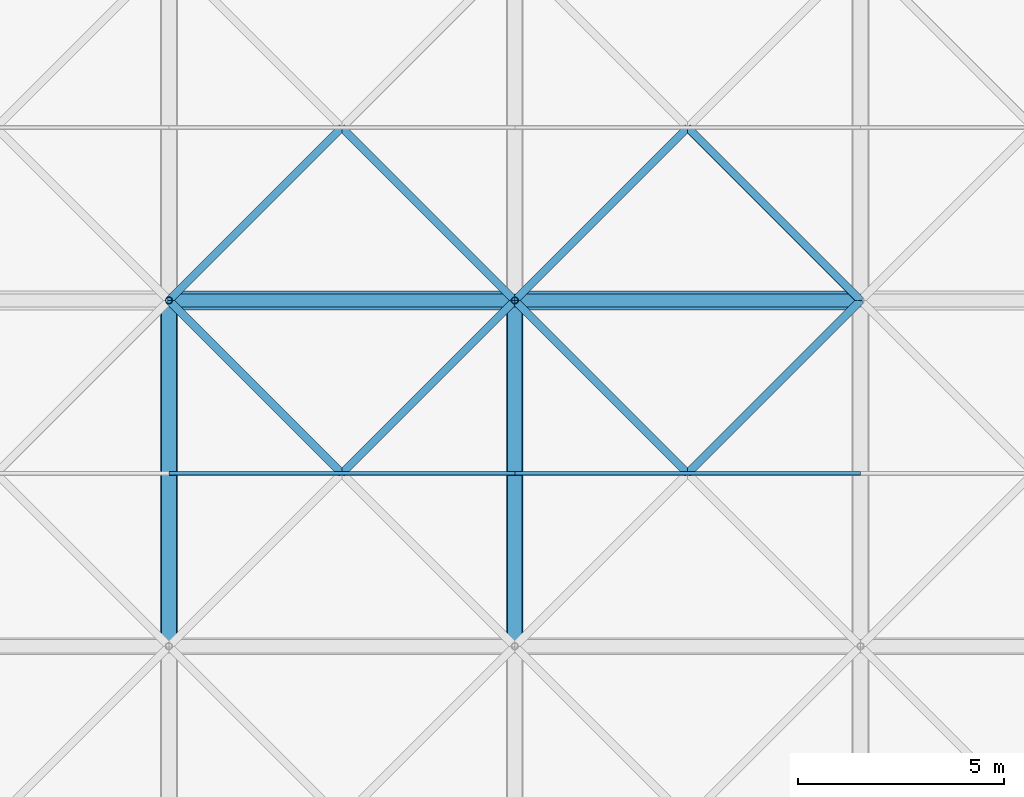
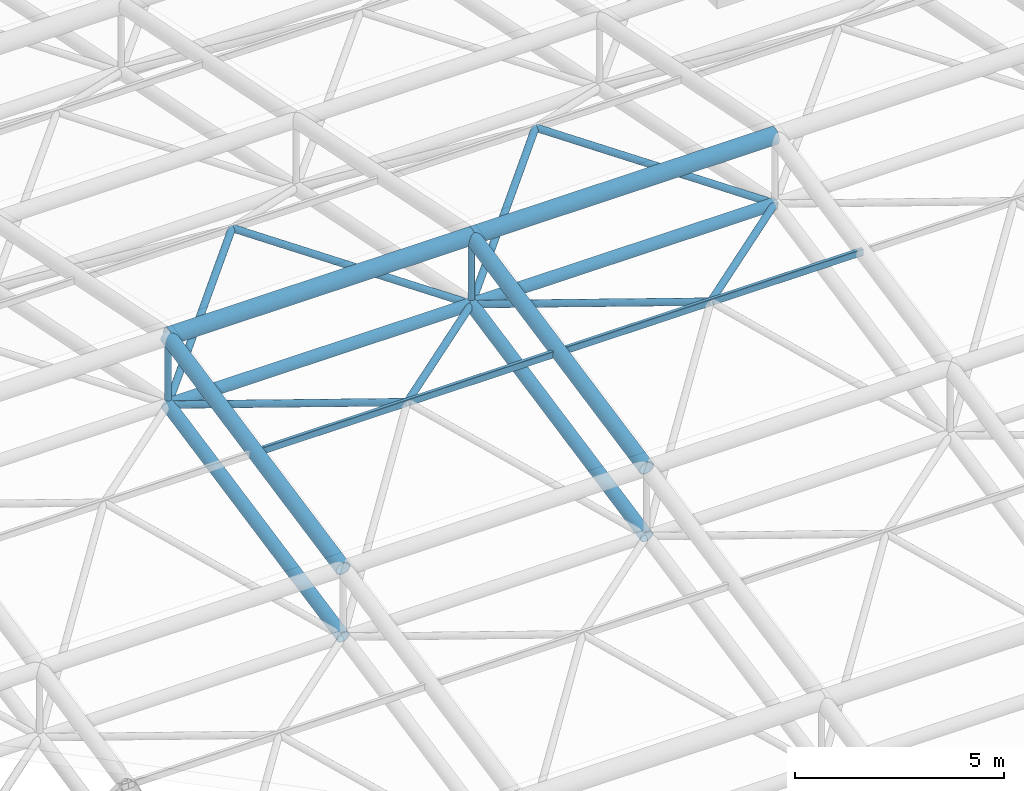
# One storey, part 45 of 110: 20 members.
"""IFC4 building model written with IfcOpenShell, lengths in metres."""

from ifc_helpers import new_model, si_unit, direction, frame, origin, origin_2d, place, context, subcontext, project, spatial, hollow_rectangle, hollow_circle, extrude, material, material_profile, profile_set, type_object, element, save


model = new_model("IFC4")

# Units and contexts
model_context = context("Model", 3, precision=1e-05, world=origin(), true_north=direction((0.0, 1.0)))
body_context = subcontext(model_context, "Body", "Model", "MODEL_VIEW")
ifc_project = project(units=[si_unit("LENGTHUNIT", "METRE"), si_unit("AREAUNIT", "SQUARE_METRE"), si_unit("VOLUMEUNIT", "CUBIC_METRE"), si_unit("PLANEANGLEUNIT", "RADIAN"), si_unit("MASSUNIT", "GRAM", prefix="KILO")], contexts=[model_context])

# Site, building, storey
site_placement = place(None, origin())
site = spatial("IfcSite", under=ifc_project, at=site_placement, CompositionType="ELEMENT")
building_placement = place(site_placement, origin())
building = spatial("IfcBuilding", under=site, at=building_placement, Name="Qawsi Khor Wholesale Market", CompositionType="ELEMENT")
storey_placement = place(building_placement, frame((0.0, 0.0, 11.39990234375)))
storey = spatial("IfcBuildingStorey", under=building, at=storey_placement, Name="L02", CompositionType="ELEMENT", Elevation=11.39990234375)

# Members
ifc_material = material(Name="Steel S355", Category="steel")
ifc_material_profile_1 = material_profile(ifc_material, hollow_circle(Radius=0.177734375, WallThickness=0.01611328125, at=origin_2d()), Name="CHS 355.6x16.0")
ifc_profile_set_1 = profile_set([ifc_material_profile_1], Name="Steel S355")
member_type_1 = type_object("IfcMemberType", Name="Space-Frame Bottom Chord CHS 355.6x16.0", PredefinedType="CHORD", material=ifc_profile_set_1)
for number, where, z_axis, x_axis, name in (
    (1, (176.39990234375, 67.199951171875, 5.070068359375), (0.0, 0.98013111127, 0.198350711418), (-1.0, 0.0, 0.0), "Space frame bottom chord Y EH (21,8)"),
    (2, (184.800048828125, 67.199951171875, 5.070068359375), (0.0, 0.98013111127, 0.198350711418), (-1.0, 0.0, 0.0), "Space frame bottom chord Y EH (22,8)"),
):
    element("IfcMember", number, at=place(storey_placement, frame(where, z_axis=z_axis, x_axis=x_axis)), inside=storey, type_object=member_type_1, Name=name, PredefinedType="CHORD", context=body_context, shape_type="SweptSolid", body=[
        extrude(hollow_circle(Radius=0.177734375, WallThickness=0.01611328125, at=origin_2d()), origin(), (0.0, 0.0, 1.0), 8.5703125),
    ])
ifc_material_profile_2 = material_profile(ifc_material, hollow_rectangle(XDim=0.10009765625, YDim=0.199951171875, WallThickness=0.008056640625, InnerFilletRadius=0.008056640625, OuterFilletRadius=0.01611328125, at=origin_2d()), Name="RHS 200x100x8.0")
ifc_profile_set_2 = profile_set([ifc_material_profile_2], Name="Steel S355")
member_type_2 = type_object("IfcMemberType", Name="Space-Frame Purlin RHS 200x100x8.0", PredefinedType="PURLIN", material=ifc_profile_set_2)
member_1_placement = place(storey_placement, frame((176.39990234375, 71.39990234375, 7.920166015625), z_axis=(1.0, 0.0, 0.0), x_axis=(0.0, 1.0, 0.0)))
element("IfcMember", 3, at=member_1_placement, inside=storey, type_object=member_type_2, Name="Space frame purlin EH (21,8)", PredefinedType="PURLIN", context=body_context, shape_type="SweptSolid", body=[
    extrude(hollow_rectangle(XDim=0.10009765625, YDim=0.199951171875, WallThickness=0.008056640625, InnerFilletRadius=0.008056640625, OuterFilletRadius=0.01611328125, at=origin_2d()), origin(), (0.0, 0.0, 1.0), 8.400146484375),
])
member_2_placement = place(storey_placement, frame((184.800048828125, 71.39990234375, 7.920166015625), z_axis=(1.0, 0.0, 0.0), x_axis=(0.0, 1.0, 0.0)))
element("IfcMember", 4, at=member_2_placement, inside=storey, type_object=member_type_2, Name="Space frame purlin EH (22,8)", PredefinedType="PURLIN", context=body_context, shape_type="SweptSolid", body=[
    extrude(hollow_rectangle(XDim=0.10009765625, YDim=0.199951171875, WallThickness=0.008056640625, InnerFilletRadius=0.008056640625, OuterFilletRadius=0.01611328125, at=origin_2d()), origin(), (0.0, 0.0, 1.0), 8.39990234375),
])
ifc_material_profile_3 = material_profile(ifc_material, hollow_circle(Radius=0.228515625, WallThickness=0.02001953125, at=origin_2d()), Name="CHS 457.0x20.0")
ifc_profile_set_3 = profile_set([ifc_material_profile_3], Name="Steel S355")
member_type_3 = type_object("IfcMemberType", Name="Space-Frame Ridge Chord CHS 457.0x20.0", PredefinedType="CHORD", material=ifc_profile_set_3)
member_3_placement = place(storey_placement, frame((176.39990234375, 75.60009765625, 8.77001953125), z_axis=(1.0, 0.0, 0.0), x_axis=(0.0, 1.0, 0.0)))
element("IfcMember", 5, at=member_3_placement, inside=storey, type_object=member_type_3, Name="Space frame top chord X EH (21,9)", PredefinedType="CHORD", context=body_context, shape_type="SweptSolid", body=[
    extrude(hollow_circle(Radius=0.228515625, WallThickness=0.02001953125, at=origin_2d()), origin(), (0.0, 0.0, 1.0), 8.400146484375),
])
member_4_placement = place(storey_placement, frame((184.800048828125, 75.60009765625, 8.77001953125), z_axis=(1.0, 0.0, 0.0), x_axis=(0.0, 1.0, 0.0)))
element("IfcMember", 6, at=member_4_placement, inside=storey, type_object=member_type_3, Name="Space frame top chord X EH (22,9)", PredefinedType="CHORD", context=body_context, shape_type="SweptSolid", body=[
    extrude(hollow_circle(Radius=0.228515625, WallThickness=0.02001953125, at=origin_2d()), origin(), (0.0, 0.0, 1.0), 8.39990234375),
])
ifc_material_profile_4 = material_profile(ifc_material, hollow_circle(Radius=0.161865234375, WallThickness=0.01611328125, at=origin_2d()), Name="CHS 323.9x16.0")
ifc_profile_set_4 = profile_set([ifc_material_profile_4], Name="Steel S355")
member_type_4 = type_object("IfcMemberType", Name="Space-Frame Secondary Chord CHS 323.9x16.0", PredefinedType="CHORD", material=ifc_profile_set_4)
member_5_placement = place(storey_placement, frame((176.39990234375, 75.60009765625, 6.77001953125), z_axis=(1.0, 0.0, 0.0), x_axis=(0.0, 1.0, 0.0)))
element("IfcMember", 7, at=member_5_placement, inside=storey, type_object=member_type_4, Name="Space frame bottom chord X EH (21,9)", PredefinedType="CHORD", context=body_context, shape_type="SweptSolid", body=[
    extrude(hollow_circle(Radius=0.161865234375, WallThickness=0.01611328125, at=origin_2d()), origin(), (0.0, 0.0, 1.0), 8.400146484375),
])
member_6_placement = place(storey_placement, frame((184.800048828125, 75.60009765625, 6.77001953125), z_axis=(1.0, 0.0, 0.0), x_axis=(0.0, 1.0, 0.0)))
element("IfcMember", 8, at=member_6_placement, inside=storey, type_object=member_type_4, Name="Space frame bottom chord X EH (22,9)", PredefinedType="CHORD", context=body_context, shape_type="SweptSolid", body=[
    extrude(hollow_circle(Radius=0.161865234375, WallThickness=0.01611328125, at=origin_2d()), origin(), (0.0, 0.0, 1.0), 8.39990234375),
])
ifc_material_profile_5 = material_profile(ifc_material, hollow_circle(Radius=0.096923828125, WallThickness=0.008056640625, at=origin_2d()), Name="CHS 193.7x8.0")
ifc_profile_set_5 = profile_set([ifc_material_profile_5], Name="Steel S355")
member_type_5 = type_object("IfcMemberType", Name="Space-Frame Secondary Diagonal CHS 193.7x8.0", PredefinedType="RAFTER", material=ifc_profile_set_5)
member_7_placement = place(storey_placement, frame((184.800048828125, 75.60009765625, 6.77001953125), z_axis=(-0.694191941586, -0.694232294544, 0.190102786538), x_axis=(0.707127332136, -0.70708622964, 0.0)))
element("IfcMember", 9, at=member_7_placement, inside=storey, type_object=member_type_5, Name="Space frame diagonal EH (21,8)-3", PredefinedType="RAFTER", context=body_context, shape_type="SweptSolid", body=[
    extrude(hollow_circle(Radius=0.096923828125, WallThickness=0.008056640625, at=origin_2d()), origin(), (0.0, 0.0, 1.0), 6.050048828125),
])
member_8_placement = place(storey_placement, frame((176.39990234375, 75.60009765625, 6.77001953125), z_axis=(0.694212847476, -0.694212847476, 0.190097461315), x_axis=(0.707106781187, 0.707106781187, 0.0)))
element("IfcMember", 10, at=member_8_placement, inside=storey, type_object=member_type_5, Name="Space frame diagonal EH (21,8)-4", PredefinedType="RAFTER", context=body_context, shape_type="SweptSolid", body=[
    extrude(hollow_circle(Radius=0.096923828125, WallThickness=0.008056640625, at=origin_2d()), origin(), (0.0, 0.0, 1.0), 6.05029296875),
])
for number, where, z_axis, x_axis, name in (
    (11, (176.39990234375, 75.60009765625, 6.77001953125), (0.694232294544, 0.694191941586, 0.190102786538), (-0.70708622964, 0.707127332136, 0.0), "Space frame diagonal EH (21,9)-1"),
    (12, (184.800048828125, 75.60009765625, 6.77001953125), (-0.694211389158, 0.694211389158, 0.190108112208), (-0.707106781187, -0.707106781187, 0.0), "Space frame diagonal EH (21,9)-2"),
    (13, (193.199951171875, 75.60009765625, 6.77001953125), (-0.694191941586, -0.694232294544, 0.190102786538), (0.707127332136, -0.70708622964, 0.0), "Space frame diagonal EH (22,8)-3"),
    (14, (184.800048828125, 75.60009765625, 6.77001953125), (0.694191941586, -0.694232294544, 0.190102786538), (0.707127332136, 0.70708622964, 0.0), "Space frame diagonal EH (22,8)-4"),
    (15, (184.800048828125, 75.60009765625, 6.77001953125), (0.694211389158, 0.694211389158, 0.190108112208), (-0.707106781187, 0.707106781187, 0.0), "Space frame diagonal EH (22,9)-1"),
    (16, (193.199951171875, 75.60009765625, 6.77001953125), (-0.694211389158, 0.694211389158, 0.190108112208), (-0.707106781187, -0.707106781187, 0.0), "Space frame diagonal EH (22,9)-2"),
):
    element("IfcMember", number, at=place(storey_placement, frame(where, z_axis=z_axis, x_axis=x_axis)), inside=storey, type_object=member_type_5, Name=name, PredefinedType="RAFTER", context=body_context, shape_type="SweptSolid", body=[
        extrude(hollow_circle(Radius=0.096923828125, WallThickness=0.008056640625, at=origin_2d()), origin(), (0.0, 0.0, 1.0), 6.050048828125),
    ])
ifc_material_profile_6 = material_profile(ifc_material, hollow_circle(Radius=0.203125, WallThickness=0.02001953125, at=origin_2d()), Name="CHS 406.4x20.0")
ifc_profile_set_6 = profile_set([ifc_material_profile_6], Name="Steel S355")
member_type_6 = type_object("IfcMemberType", Name="Space-Frame Top Chord CHS 406.4x20.0", PredefinedType="CHORD", material=ifc_profile_set_6)
for number, where, z_axis, x_axis, name in (
    (17, (176.39990234375, 67.199951171875, 7.070068359375), (0.0, 0.98013111127, 0.198350711418), (-1.0, 0.0, 0.0), "Space frame top chord Y EH (21,8)"),
    (18, (184.800048828125, 67.199951171875, 7.070068359375), (0.0, 0.98013111127, 0.198350711418), (-1.0, 0.0, 0.0), "Space frame top chord Y EH (22,8)"),
):
    element("IfcMember", number, at=place(storey_placement, frame(where, z_axis=z_axis, x_axis=x_axis)), inside=storey, type_object=member_type_6, Name=name, PredefinedType="CHORD", context=body_context, shape_type="SweptSolid", body=[
        extrude(hollow_circle(Radius=0.203125, WallThickness=0.02001953125, at=origin_2d()), origin(), (0.0, 0.0, 1.0), 8.5703125),
    ])
ifc_material_profile_7 = material_profile(ifc_material, hollow_circle(Radius=0.084228515625, WallThickness=0.008056640625, at=origin_2d()), Name="CHS 168.3x8.0")
ifc_profile_set_7 = profile_set([ifc_material_profile_7], Name="Steel S355")
member_type_7 = type_object("IfcMemberType", Name="Space-Frame Vertical Strut CHS 168.3x8.0", PredefinedType="STRUT", material=ifc_profile_set_7)
for number, where, z_axis, x_axis, name in (
    (19, (176.39990234375, 75.60009765625, 6.77001953125), (0.0, 0.0, 1.0), (1.0, 0.0, 0.0), "Space frame post EH (21,9)"),
    (20, (184.800048828125, 75.60009765625, 6.77001953125), (0.0, 0.0, 1.0), (1.0, 0.0, 0.0), "Space frame post EH (22,9)"),
):
    element("IfcMember", number, at=place(storey_placement, frame(where, z_axis=z_axis, x_axis=x_axis)), inside=storey, type_object=member_type_7, Name=name, PredefinedType="STRUT", context=body_context, shape_type="SweptSolid", body=[
        extrude(hollow_circle(Radius=0.084228515625, WallThickness=0.008056640625, at=origin_2d()), origin(), (0.0, 0.0, 1.0), 2.0),
    ])

save(model, "model.ifc")
